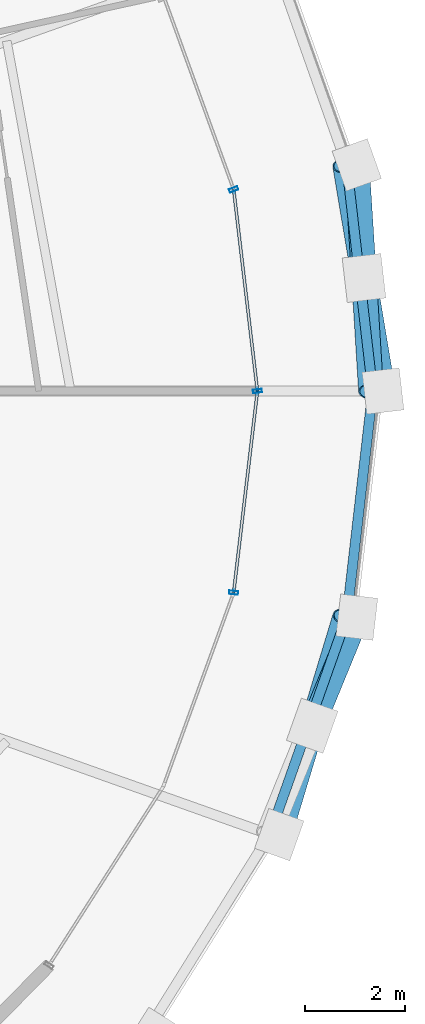
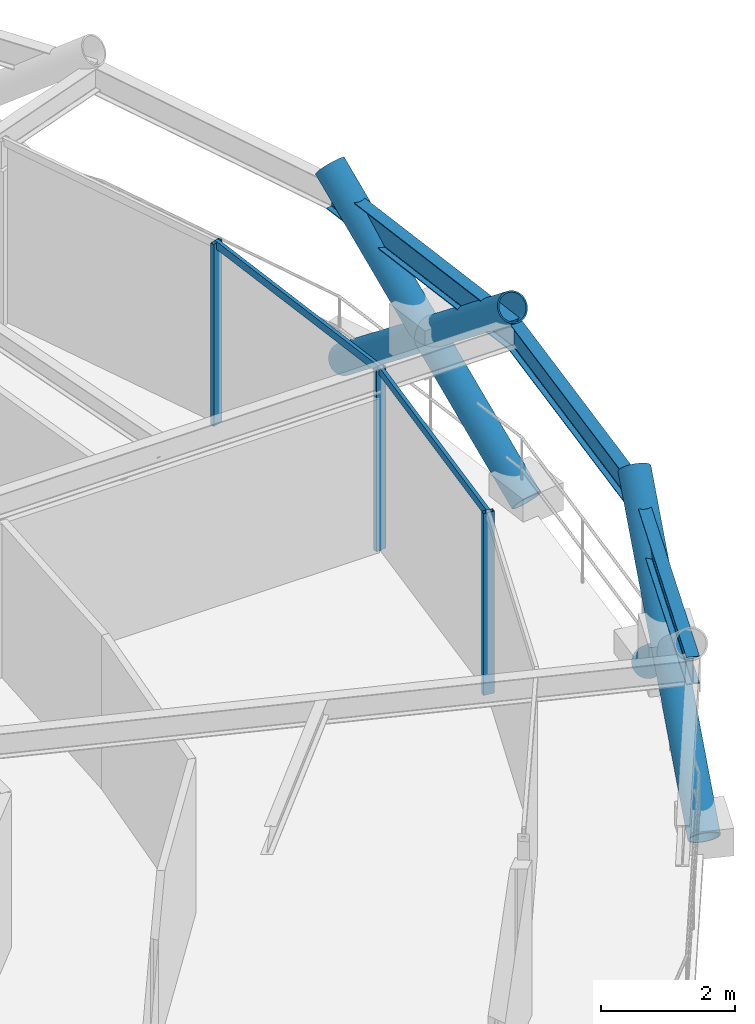
# One storey, part 8 of 16: 10 members, 3 beams, 1 element without a shape of its own.
"""IFC4 building model written with IfcOpenShell, lengths in metres."""

from ifc_helpers import new_model, si_unit, direction, frame, origin, origin_2d, place, context, subcontext, project, spatial, hollow_rectangle, hollow_circle, i_section, extrude, material, layer, layer_set, material_profile, profile_set, type_object, element, aggregate, save


model = new_model("IFC4")

# Units and contexts
model_context = context("Model", 3, precision=1e-05, world=origin(), true_north=direction((0.0, 1.0)))
body_context = subcontext(model_context, "Body", "Model", "MODEL_VIEW")
ifc_project = project(units=[si_unit("LENGTHUNIT", "METRE"), si_unit("AREAUNIT", "SQUARE_METRE"), si_unit("VOLUMEUNIT", "CUBIC_METRE"), si_unit("PLANEANGLEUNIT", "RADIAN"), si_unit("MASSUNIT", "GRAM", prefix="KILO")], contexts=[model_context])

# Site, building, storey
site_placement = place(None, origin())
site = spatial("IfcSite", under=ifc_project, at=site_placement, CompositionType="ELEMENT")
building_placement = place(site_placement, origin())
building = spatial("IfcBuilding", under=site, at=building_placement, Name="Veldorina Hangang Commons", CompositionType="ELEMENT")
storey_placement = place(building_placement, frame((0.0, 0.0, 185.60009765625)))
storey = spatial("IfcBuildingStorey", under=building, at=storey_placement, Name="L48", CompositionType="ELEMENT", Elevation=185.60009765625)

# Beams
ifc_material_1 = material(Name="Steel SM420-TMC", Category="steel")
ifc_material_profile_1 = material_profile(ifc_material_1, i_section(OverallWidth=0.199951171875, OverallDepth=0.5, WebThickness=0.010009765625, FlangeThickness=0.01611328125, FilletRadius=0.01611328125, at=origin_2d()), Name="H-500x200x10x16")
ifc_profile_set_1 = profile_set([ifc_material_profile_1], Name="Steel SM420-TMC")
beam_type = type_object("IfcBeamType", Name="BM-RB500", PredefinedType="BEAM", material=ifc_profile_set_1)
beam_1_placement = place(storey_placement, frame((59.13720703125, 24.0, 3.099853515625), z_axis=(-0.114151247085, 0.993463382712, 0.0), x_axis=(-0.993463382712, -0.114151247085, 0.0)))
element("IfcBeam", 1, at=beam_1_placement, inside=storey, type_object=beam_type, Name="L48 perimeter hoop ring beam 00", PredefinedType="BEAM", context=body_context, shape_type="SweptSolid", body=[
    extrude(i_section(OverallWidth=0.199951171875, OverallDepth=0.5, WebThickness=0.010009765625, FlangeThickness=0.01611328125, FilletRadius=0.01611328125, at=origin_2d()), origin(), (0.0, 0.0, 1.0), 4.566162109375),
])
beam_2_placement = place(storey_placement, frame((57.071533203125, 15.101318359375, 3.099853515625), z_axis=(0.333741666567, 0.942664574489, 0.0), x_axis=(-0.942664574489, 0.333741666567, 0.0)))
element("IfcBeam", 2, at=beam_2_placement, inside=storey, type_object=beam_type, Name="L48 perimeter hoop ring beam 30", PredefinedType="BEAM", context=body_context, shape_type="SweptSolid", body=[
    extrude(i_section(OverallWidth=0.199951171875, OverallDepth=0.5, WebThickness=0.010009765625, FlangeThickness=0.01611328125, FilletRadius=0.01611328125, at=origin_2d()), origin(), (0.0, 0.0, 1.0), 4.627685546875),
])
beam_3_placement = place(storey_placement, frame((58.615966796875, 19.463623046875, 3.099853515625), z_axis=(0.114151247085, 0.993463382712, 0.0), x_axis=(-0.993463382712, 0.114151247085, 0.0)))
element("IfcBeam", 3, at=beam_3_placement, inside=storey, type_object=beam_type, Name="L48 perimeter hoop ring beam 31", PredefinedType="BEAM", context=body_context, shape_type="SweptSolid", body=[
    extrude(i_section(OverallWidth=0.199951171875, OverallDepth=0.5, WebThickness=0.010009765625, FlangeThickness=0.01611328125, FilletRadius=0.01611328125, at=origin_2d()), origin(), (0.0, 0.0, 1.0), 4.566162109375),
])

# Curtain wall, members
ifc_material_2 = material(Name="Glass Low-E Triple IGU", Category="glass")
ifc_layer = layer(ifc_material_2, 0.179931640625)
ifc_layer_set = layer_set([ifc_layer], Name="Glass Low-E Triple IGU")
curtain_wall_type = type_object("IfcCurtainWallType", Name="CW-SYS-Z2", PredefinedType="NOTDEFINED", material=ifc_layer_set)
curtain_wall_placement = place(storey_placement, origin())
curtain_wall = element("IfcCurtainWall", 4, at=curtain_wall_placement, inside=storey, type_object=curtain_wall_type, Name="L48 unitised curtain wall CW-L48-R2", PredefinedType="NOTDEFINED")
ifc_material_3 = material(Name="Aluminium Anodized AA6063-T6", Category="aluminium")
ifc_material_profile_2 = material_profile(ifc_material_3, hollow_rectangle(XDim=0.070068359375, YDim=0.179931640625, WallThickness=0.00390625, at=origin_2d()), Name="ALU-RHS-180x70x4")
ifc_profile_set_2 = profile_set([ifc_material_profile_2], Name="Aluminium Anodized AA6063-T6")
member_type_1 = type_object("IfcMemberType", Name="CW-MUL-180", PredefinedType="MULLION", material=ifc_profile_set_2)
member_1_placement = place(storey_placement, frame((56.346435546875, 19.953125, 0.0), z_axis=(0.0, 0.0, 1.0), x_axis=(0.117052078642, 0.993125777979, 0.0)))
member_1 = element("IfcMember", 5, at=member_1_placement, type_object=member_type_1, Name="CW-L48-R2 vertical mullion 2", PredefinedType="MULLION", context=body_context, shape_type="SweptSolid", body=[
    extrude(hollow_rectangle(XDim=0.070068359375, YDim=0.179931640625, WallThickness=0.00390625, at=origin_2d()), origin(), (0.0, 0.0, 1.0), 3.309814453125),
])
member_2_placement = place(storey_placement, frame((56.823486328125, 24.0, 0.0), z_axis=(0.0, 0.0, 1.0), x_axis=(-0.117052078642, 0.993125777979, 0.0)))
member_2 = element("IfcMember", 6, at=member_2_placement, type_object=member_type_1, Name="CW-L48-R2 vertical mullion 3", PredefinedType="MULLION", context=body_context, shape_type="SweptSolid", body=[
    extrude(hollow_rectangle(XDim=0.070068359375, YDim=0.179931640625, WallThickness=0.00390625, at=origin_2d()), origin(), (0.0, 0.0, 1.0), 3.309814453125),
])
member_3_placement = place(storey_placement, frame((56.346435546875, 28.046875, 0.0), z_axis=(0.0, 0.0, 1.0), x_axis=(-0.341232788347, 0.939978821121, 0.0)))
member_3 = element("IfcMember", 7, at=member_3_placement, type_object=member_type_1, Name="CW-L48-R2 vertical mullion 4", PredefinedType="MULLION", context=body_context, shape_type="SweptSolid", body=[
    extrude(hollow_rectangle(XDim=0.070068359375, YDim=0.179931640625, WallThickness=0.00390625, at=origin_2d()), origin(), (0.0, 0.0, 1.0), 3.309814453125),
])
ifc_material_profile_3 = material_profile(ifc_material_3, hollow_rectangle(XDim=0.06005859375, YDim=0.139892578125, WallThickness=0.00341796875, at=origin_2d()), Name="ALU-RHS-140x60x3.5")
ifc_profile_set_3 = profile_set([ifc_material_profile_3], Name="Aluminium Anodized AA6063-T6")
member_type_2 = type_object("IfcMemberType", Name="CW-TRN-140", PredefinedType="USERDEFINED", material=ifc_profile_set_3)
member_4_placement = place(storey_placement, frame((56.346435546875, 19.953125, 3.27001953125), z_axis=(0.117070673705, 0.993123586145, 0.0), x_axis=(-0.993123586145, 0.117070673705, 0.0)))
member_4 = element("IfcMember", 8, at=member_4_placement, type_object=member_type_2, Name="CW-L48-R2 facet 3 transom 1", ObjectType="TRANSOM", PredefinedType="USERDEFINED", context=body_context, shape_type="SweptSolid", body=[
    extrude(hollow_rectangle(XDim=0.06005859375, YDim=0.139892578125, WallThickness=0.00341796875, at=origin_2d()), origin(), (0.0, 0.0, 1.0), 4.074951171875),
])
member_5_placement = place(storey_placement, frame((56.823486328125, 24.0, 3.27001953125), z_axis=(-0.117070673705, 0.993123586145, 0.0), x_axis=(-0.993123586145, -0.117070673705, 0.0)))
member_5 = element("IfcMember", 9, at=member_5_placement, type_object=member_type_2, Name="CW-L48-R2 facet 4 transom 1", ObjectType="TRANSOM", PredefinedType="USERDEFINED", context=body_context, shape_type="SweptSolid", body=[
    extrude(hollow_rectangle(XDim=0.06005859375, YDim=0.139892578125, WallThickness=0.00341796875, at=origin_2d()), origin(), (0.0, 0.0, 1.0), 4.074951171875),
])
aggregate(curtain_wall, [member_1, member_2, member_3, member_4, member_5])

# Members
ifc_material_profile_4 = material_profile(ifc_material_1, hollow_circle(Radius=0.25, WallThickness=0.02490234375, at=origin_2d()), Name="CHS-500x25")
ifc_profile_set_4 = profile_set([ifc_material_profile_4], Name="Steel SM420-TMC")
member_type_3 = type_object("IfcMemberType", Name="DG-CHS500", PredefinedType="BRACE", material=ifc_profile_set_4)
member_6_placement = place(storey_placement, frame((59.343505859375, 24.0, 0.0), z_axis=(-0.130165518235, 0.776645898782, 0.616342506864), x_axis=(-0.986244317062, -0.165294122892, 0.0)))
element("IfcMember", 10, at=member_6_placement, inside=storey, type_object=member_type_3, Name="L48 continuous perimeter diagrid brace 00", PredefinedType="BRACE", context=body_context, shape_type="SweptSolid", body=[
    extrude(hollow_circle(Radius=0.25, WallThickness=0.02490234375, at=origin_2d()), origin(), (0.0, 0.0, 1.0), 5.840576171875),
])
member_7_placement = place(storey_placement, frame((58.818115234375, 28.53857421875, 0.0), z_axis=(0.049992337082, -0.7824558213, 0.620696104344), x_axis=(0.997965160884, 0.063761568846, 0.0)))
element("IfcMember", 11, at=member_7_placement, inside=storey, type_object=member_type_3, Name="L48 split perimeter diagrid lower brace 01", PredefinedType="BRACE", context=body_context, shape_type="SweptSolid", body=[
    extrude(hollow_circle(Radius=0.25, WallThickness=0.02490234375, at=origin_2d()), origin(), (0.0, 0.0, 1.0), 2.90087890625),
])
member_8_placement = place(storey_placement, frame((58.963134765625, 26.268798828125, 1.800537109375), z_axis=(0.04859049829, -0.782584923059, 0.620644666195), x_axis=(0.998077987219, 0.061970407686, 0.0)))
element("IfcMember", 12, at=member_8_placement, inside=storey, type_object=member_type_3, Name="L48 split perimeter diagrid upper brace 01", PredefinedType="BRACE", context=body_context, shape_type="SweptSolid", body=[
    extrude(hollow_circle(Radius=0.25, WallThickness=0.02490234375, at=origin_2d()), origin(), (0.0, 0.0, 1.0), 2.899169921875),
])
member_9_placement = place(storey_placement, frame((57.261962890625, 15.097412109375, 0.0), z_axis=(0.227367264487, 0.751379069726, 0.619462364166), x_axis=(-0.957138654167, 0.289630103235, 0.0)))
element("IfcMember", 13, at=member_9_placement, inside=storey, type_object=member_type_3, Name="L48 continuous perimeter diagrid brace 30", PredefinedType="BRACE", context=body_context, shape_type="SweptSolid", body=[
    extrude(hollow_circle(Radius=0.25, WallThickness=0.02490234375, at=origin_2d()), origin(), (0.0, 0.0, 1.0), 5.811279296875),
])
member_10_placement = place(storey_placement, frame((58.818115234375, 19.46142578125, 0.0), z_axis=(-0.301804645774, -0.734835861479, 0.607396256553), x_axis=(0.925021119077, -0.379915687042, 0.0)))
element("IfcMember", 14, at=member_10_placement, inside=storey, type_object=member_type_3, Name="L48 split perimeter diagrid lower brace 31", PredefinedType="BRACE", context=body_context, shape_type="SweptSolid", body=[
    extrude(hollow_circle(Radius=0.25, WallThickness=0.02490234375, at=origin_2d()), origin(), (0.0, 0.0, 1.0), 2.965576171875),
])

save(model, "model.ifc")
